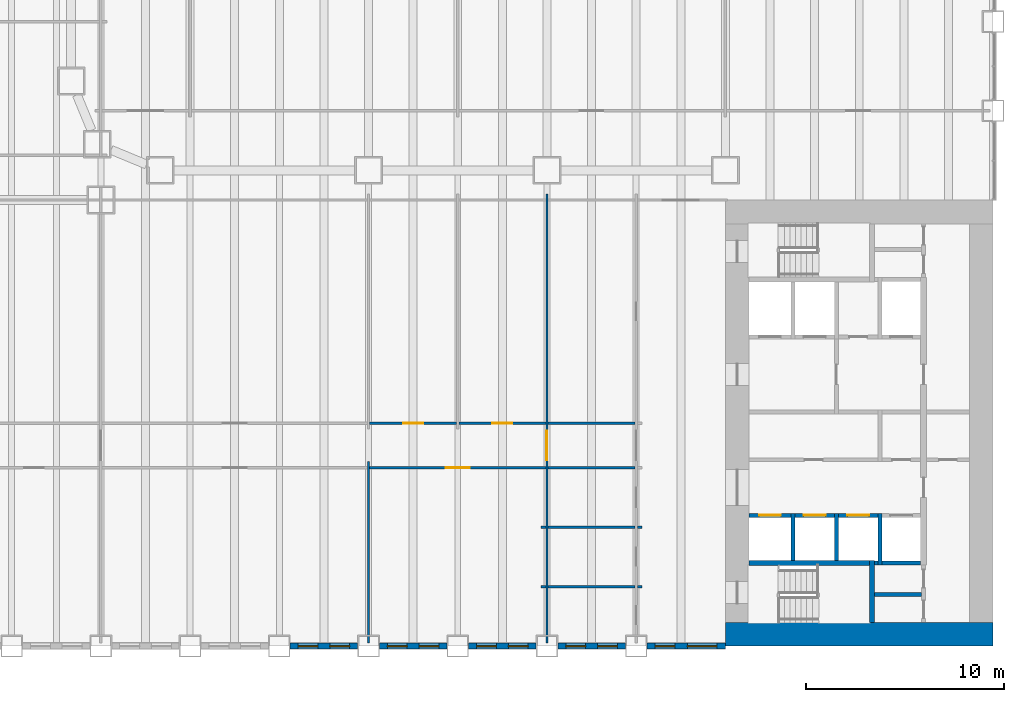
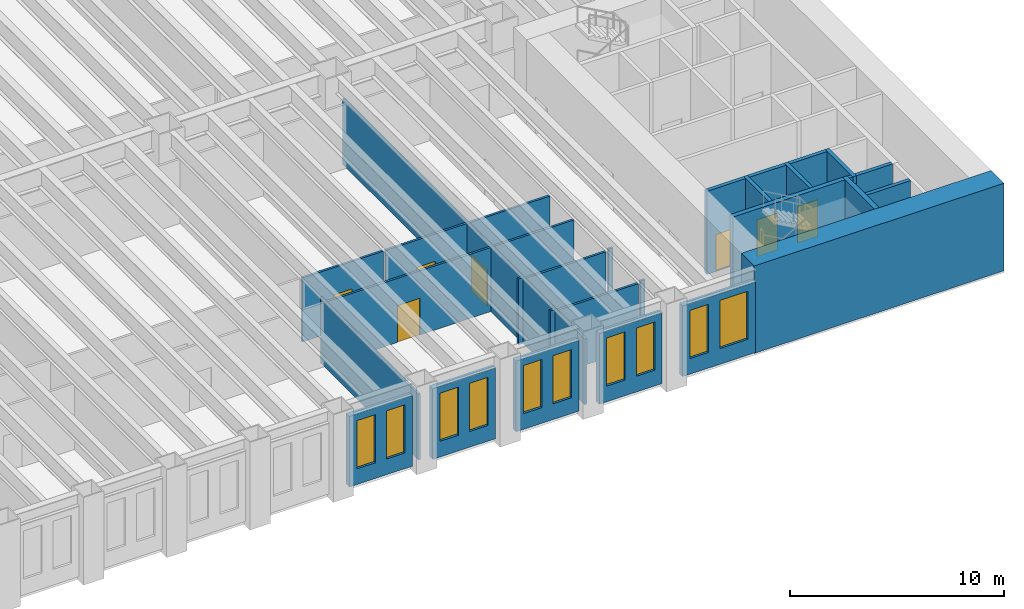
# One storey, part 11 of 19: 30 walls, 10 windows, 7 doors, 17 openings.
"""IFC4 building model written with IfcOpenShell, lengths in metres."""

from ifc_helpers import new_model, si_unit, direction, frame, frame_2d, origin, place, context, subcontext, project, spatial, rectangle, extrude, material, layer, layer_set, type_object, element, fill, save


model = new_model("IFC4")

# Units and contexts
model_context = context("Model", 3, precision=1e-05, world=origin(), true_north=direction((0.0, 1.0)))
body_context = subcontext(model_context, "Body", "Model", "MODEL_VIEW")
ifc_project = project(units=[si_unit("LENGTHUNIT", "METRE"), si_unit("AREAUNIT", "SQUARE_METRE"), si_unit("VOLUMEUNIT", "CUBIC_METRE"), si_unit("PLANEANGLEUNIT", "RADIAN"), si_unit("MASSUNIT", "GRAM", prefix="KILO")], contexts=[model_context])

# Site, building, storey
site_placement = place(None, origin())
site = spatial("IfcSite", under=ifc_project, at=site_placement, CompositionType="ELEMENT")
building_placement = place(site_placement, origin())
building = spatial("IfcBuilding", under=site, at=building_placement, Name="Sennacour Bend Tower", CompositionType="ELEMENT")
storey_placement = place(building_placement, frame((0.0, 0.0, 19.0)))
storey = spatial("IfcBuildingStorey", under=building, at=storey_placement, Name="L03", CompositionType="ELEMENT", Elevation=19.0)

# Walls
ifc_material_1 = material(Name="Concrete C80/95", Category="concrete")
ifc_layer_1 = layer(ifc_material_1, 1.199951171875, Name="Concrete C80/95", Category="concrete")
ifc_layer_set_1 = layer_set([ifc_layer_1], Name="Concrete C80/95")
wall_type_1 = type_object("IfcWallType", Name="Core wall 1200 C80/95", PredefinedType="SHEAR", material=ifc_layer_set_1)
wall_1_placement = place(storey_placement, frame((67.5, 0.60009765625, -0.14990234375), z_axis=(0.0, 0.0, 1.0), x_axis=(-1.0, 0.0, 0.0)))
element("IfcWall", 1, at=wall_1_placement, inside=storey, type_object=wall_type_1, Name="Core A wall L03 S", PredefinedType="SHEAR", context=body_context, shape_type="SweptSolid", body=[
    extrude(rectangle(XDim=13.5, YDim=1.199951171875, at=frame_2d((6.75, 0.0))), origin(), (0.0, 0.0, 1.0), 5.0),
])
ifc_material_2 = material(Name="Plasterboard partition on steel studs", Category="steel")
ifc_layer_2 = layer(ifc_material_2, 0.1201171875, Name="Plasterboard partition on steel studs", Category="steel")
ifc_layer_set_2 = layer_set([ifc_layer_2], Name="Plasterboard partition on steel studs")
wall_type_2 = type_object("IfcWallType", Name="Partition 120", PredefinedType="PARTITIONING", material=ifc_layer_set_2)
wall_2_placement = place(storey_placement, frame((36.0, 0.14990234375, 0.0), z_axis=(0.0, 0.0, 1.0), x_axis=(0.0, 1.0, 0.0)))
element("IfcWall", 2, at=wall_2_placement, inside=storey, type_object=wall_type_2, Name="P-L03-W024a", PredefinedType="PARTITIONING", context=body_context, shape_type="SweptSolid", body=[
    extrude(rectangle(XDim=9.150146484375, YDim=0.1201171875, at=frame_2d((4.5751953125, 0.0))), origin(), (0.0, 0.0, 1.0), 3.7587890625),
])
wall_3_placement = place(storey_placement, frame((44.699951171875, 3.0, 0.0), z_axis=(0.0, 0.0, 1.0), x_axis=(1.0, 0.0, 0.0)))
element("IfcWall", 3, at=wall_3_placement, inside=storey, type_object=wall_type_2, Name="P-L03-W048aa", PredefinedType="PARTITIONING", context=body_context, shape_type="SweptSolid", body=[
    extrude(rectangle(XDim=0.239990234375, YDim=0.1201171875, at=frame_2d((0.1201171875, 0.0))), origin(), (0.0, 0.0, 1.0), 3.7587890625),
])
wall_4_placement = place(storey_placement, frame((45.06005859375, 3.0, 0.0), z_axis=(0.0, 0.0, 1.0), x_axis=(1.0, 0.0, 0.0)))
element("IfcWall", 4, at=wall_4_placement, inside=storey, type_object=wall_type_2, Name="P-L03-W048ab", PredefinedType="PARTITIONING", context=body_context, shape_type="SweptSolid", body=[
    extrude(rectangle(XDim=4.3798828125, YDim=0.1201171875, at=frame_2d((2.18994140625, 0.0))), origin(), (0.0, 0.0, 1.0), 3.66015625),
])
for number, where, z_axis, x_axis, name in (
    (5, (49.56005859375, 3.0, 0.0), (0.0, 0.0, 1.0), (1.0, 0.0, 0.0), "P-L03-W048ac"),
    (6, (44.699951171875, 6.0, 0.0), (0.0, 0.0, 1.0), (1.0, 0.0, 0.0), "P-L03-W053aa"),
):
    element("IfcWall", number, at=place(storey_placement, frame(where, z_axis=z_axis, x_axis=x_axis)), inside=storey, type_object=wall_type_2, Name=name, PredefinedType="PARTITIONING", context=body_context, shape_type="SweptSolid", body=[
        extrude(rectangle(XDim=0.239990234375, YDim=0.1201171875, at=frame_2d((0.1201171875, 0.0))), origin(), (0.0, 0.0, 1.0), 3.7587890625),
    ])
wall_5_placement = place(storey_placement, frame((45.06005859375, 6.0, 0.0), z_axis=(0.0, 0.0, 1.0), x_axis=(1.0, 0.0, 0.0)))
element("IfcWall", 7, at=wall_5_placement, inside=storey, type_object=wall_type_2, Name="P-L03-W053ab", PredefinedType="PARTITIONING", context=body_context, shape_type="SweptSolid", body=[
    extrude(rectangle(XDim=4.3798828125, YDim=0.1201171875, at=frame_2d((2.18994140625, 0.0))), origin(), (0.0, 0.0, 1.0), 3.66015625),
])
wall_6_placement = place(storey_placement, frame((49.56005859375, 6.0, 0.0), z_axis=(0.0, 0.0, 1.0), x_axis=(1.0, 0.0, 0.0)))
element("IfcWall", 8, at=wall_6_placement, inside=storey, type_object=wall_type_2, Name="P-L03-W053ac", PredefinedType="PARTITIONING", context=body_context, shape_type="SweptSolid", body=[
    extrude(rectangle(XDim=0.239990234375, YDim=0.1201171875, at=frame_2d((0.1201171875, 0.0))), origin(), (0.0, 0.0, 1.0), 3.7587890625),
])

# Wall, opening, door
wall_7_placement = place(storey_placement, frame((36.06005859375, 9.0, 0.0), z_axis=(0.0, 0.0, 1.0), x_axis=(1.0, 0.0, 0.0)))
wall_7 = element("IfcWall", 9, at=wall_7_placement, inside=storey, type_object=wall_type_2, Name="P-L03-W055ae", PredefinedType="PARTITIONING", context=body_context, shape_type="SweptSolid", body=[
    extrude(rectangle(XDim=8.8798828125, YDim=0.1201171875, at=frame_2d((4.43994140625, 0.0))), origin(), (0.0, 0.0, 1.0), 3.66015625),
])
opening_1_placement = place(wall_7_placement, frame((3.83984375, 0.0, 0.0)))
opening_1 = element("IfcOpeningElement", 10, at=opening_1_placement, cuts=wall_7, Name="Opening OD", PredefinedType="OPENING", context=body_context, shape_type="SweptSolid", body=[
    extrude(rectangle(XDim=1.199951171875, YDim=2.10009765625, at=frame_2d((0.60009765625, 1.050048828125))), frame((0.0, 0.070068359375, 0.0), z_axis=(0.0, -1.0, 0.0), x_axis=(1.0, 0.0, 0.0)), (0.0, 0.0, 1.0), 0.14013671875),
])
ifc_material_3 = material(Name="Timber", Category="wood")
door_type_1 = type_object("IfcDoorType", Name="DR-OFFICE-1200", OperationType="NOTDEFINED", PredefinedType="DOOR", material=ifc_material_3)
door_1_placement = place(opening_1_placement, origin())
door_1 = element("IfcDoor", 11, at=door_1_placement, inside=storey, type_object=door_type_1, Name="Door", OperationType="SINGLE_SWING_LEFT", OverallHeight=2.10009765625, OverallWidth=1.199951171875, PredefinedType="DOOR", context=body_context, shape_type="SweptSolid", body=[
    extrude(rectangle(XDim=1.199951171875, YDim=2.10009765625, at=frame_2d((0.60009765625, 1.050048828125))), frame((0.0, 0.02490234375, 0.0), z_axis=(0.0, -1.0, 0.0), x_axis=(1.0, 0.0, 0.0)), (0.0, 0.0, 1.0), 0.050048828125),
])
fill(opening_1, door_1)

# Wall
wall_8_placement = place(storey_placement, frame((45.06005859375, 9.0, 0.0), z_axis=(0.0, 0.0, 1.0), x_axis=(1.0, 0.0, 0.0)))
element("IfcWall", 12, at=wall_8_placement, inside=storey, type_object=wall_type_2, Name="P-L03-W055af", PredefinedType="PARTITIONING", context=body_context, shape_type="SweptSolid", body=[
    extrude(rectangle(XDim=4.3798828125, YDim=0.1201171875, at=frame_2d((2.18994140625, 0.0))), origin(), (0.0, 0.0, 1.0), 3.66015625),
])

# Wall, opening, door
wall_9_placement = place(storey_placement, frame((36.06005859375, 11.25, 0.0), z_axis=(0.0, 0.0, 1.0), x_axis=(1.0, 0.0, 0.0)))
wall_9 = element("IfcWall", 13, at=wall_9_placement, inside=storey, type_object=wall_type_2, Name="P-L03-W057ae", PredefinedType="PARTITIONING", context=body_context, shape_type="SweptSolid", body=[
    extrude(rectangle(XDim=4.3798828125, YDim=0.1201171875, at=frame_2d((2.18994140625, 0.0))), origin(), (0.0, 0.0, 1.0), 3.66015625),
])
opening_2_placement = place(wall_9_placement, frame((1.68994140625, 0.0, 0.0)))
opening_2 = element("IfcOpeningElement", 14, at=opening_2_placement, cuts=wall_9, Name="Opening OD2", PredefinedType="OPENING", context=body_context, shape_type="SweptSolid", body=[
    extrude(rectangle(XDim=1.0, YDim=2.10009765625, at=frame_2d((0.5, 1.050048828125))), frame((0.0, 0.070068359375, 0.0), z_axis=(0.0, -1.0, 0.0), x_axis=(1.0, 0.0, 0.0)), (0.0, 0.0, 1.0), 0.14013671875),
])
door_type_2 = type_object("IfcDoorType", Name="DR-OFFICE-1000", OperationType="NOTDEFINED", PredefinedType="DOOR", material=ifc_material_3)
door_2_placement = place(opening_2_placement, origin())
door_2 = element("IfcDoor", 15, at=door_2_placement, inside=storey, type_object=door_type_2, Name="Door", OperationType="SINGLE_SWING_LEFT", OverallHeight=2.10009765625, OverallWidth=1.0, PredefinedType="DOOR", context=body_context, shape_type="SweptSolid", body=[
    extrude(rectangle(XDim=1.0, YDim=2.10009765625, at=frame_2d((0.5, 1.050048828125))), frame((0.0, 0.02490234375, 0.0), z_axis=(0.0, -1.0, 0.0), x_axis=(1.0, 0.0, 0.0)), (0.0, 0.0, 1.0), 0.050048828125),
])
fill(opening_2, door_2)

wall_10_placement = place(storey_placement, frame((40.56005859375, 11.25, 0.0), z_axis=(0.0, 0.0, 1.0), x_axis=(1.0, 0.0, 0.0)))
wall_10 = element("IfcWall", 16, at=wall_10_placement, inside=storey, type_object=wall_type_2, Name="P-L03-W057af", PredefinedType="PARTITIONING", context=body_context, shape_type="SweptSolid", body=[
    extrude(rectangle(XDim=4.3798828125, YDim=0.1201171875, at=frame_2d((2.18994140625, 0.0))), origin(), (0.0, 0.0, 1.0), 3.66015625),
])
opening_3_placement = place(wall_10_placement, frame((1.68994140625, 0.0, 0.0)))
opening_3 = element("IfcOpeningElement", 17, at=opening_3_placement, cuts=wall_10, Name="Opening OD2", PredefinedType="OPENING", context=body_context, shape_type="SweptSolid", body=[
    extrude(rectangle(XDim=1.0, YDim=2.10009765625, at=frame_2d((0.5, 1.050048828125))), frame((0.0, 0.070068359375, 0.0), z_axis=(0.0, -1.0, 0.0), x_axis=(1.0, 0.0, 0.0)), (0.0, 0.0, 1.0), 0.14013671875),
])
door_3_placement = place(opening_3_placement, origin())
door_3 = element("IfcDoor", 18, at=door_3_placement, inside=storey, type_object=door_type_2, Name="Door", OperationType="SINGLE_SWING_LEFT", OverallHeight=2.10009765625, OverallWidth=1.0, PredefinedType="DOOR", context=body_context, shape_type="SweptSolid", body=[
    extrude(rectangle(XDim=1.0, YDim=2.10009765625, at=frame_2d((0.5, 1.050048828125))), frame((0.0, 0.02490234375, 0.0), z_axis=(0.0, -1.0, 0.0), x_axis=(1.0, 0.0, 0.0)), (0.0, 0.0, 1.0), 0.050048828125),
])
fill(opening_3, door_3)

# Wall
wall_11_placement = place(storey_placement, frame((45.06005859375, 11.25, 0.0), z_axis=(0.0, 0.0, 1.0), x_axis=(1.0, 0.0, 0.0)))
element("IfcWall", 19, at=wall_11_placement, inside=storey, type_object=wall_type_2, Name="P-L03-W057ag", PredefinedType="PARTITIONING", context=body_context, shape_type="SweptSolid", body=[
    extrude(rectangle(XDim=4.3798828125, YDim=0.1201171875, at=frame_2d((2.18994140625, 0.0))), origin(), (0.0, 0.0, 1.0), 3.66015625),
])

# Wall, opening, door
ifc_layer_3 = layer(ifc_material_2, 0.1201171875, Name="Plasterboard partition on steel studs", Category="steel")
ifc_layer_set_3 = layer_set([ifc_layer_3], Name="Plasterboard partition on steel studs")
wall_type_3 = type_object("IfcWallType", Name="Partition 120 EI 30", PredefinedType="PARTITIONING", material=ifc_layer_set_3)
wall_12_placement = place(storey_placement, frame((45.0, 0.14990234375, 0.0), z_axis=(0.0, 0.0, 1.0), x_axis=(0.0, 1.0, 0.0)))
wall_12 = element("IfcWall", 20, at=wall_12_placement, inside=storey, type_object=wall_type_3, Name="P-L03-W028a", PredefinedType="PARTITIONING", context=body_context, shape_type="SweptSolid", body=[
    extrude(rectangle(XDim=22.650146484375, YDim=0.1201171875, at=frame_2d((11.3251953125, 0.0))), origin(), (0.0, 0.0, 1.0), 3.7587890625),
])
opening_4_placement = place(wall_12_placement, frame((9.22509765625, 0.0, 0.0)))
opening_4 = element("IfcOpeningElement", 21, at=opening_4_placement, cuts=wall_12, Name="Opening KD", PredefinedType="OPENING", context=body_context, shape_type="SweptSolid", body=[
    extrude(rectangle(XDim=1.5, YDim=2.10009765625, at=frame_2d((0.75, 1.050048828125))), frame((0.0, 0.070068359375, 0.0), z_axis=(0.0, -1.0, 0.0), x_axis=(1.0, 0.0, 0.0)), (0.0, 0.0, 1.0), 0.14013671875),
])
ifc_material_4 = material(Name="Painted steel", Category="steel")
door_type_3 = type_object("IfcDoorType", Name="DR-CORRIDOR-1500", OperationType="NOTDEFINED", PredefinedType="DOOR", material=ifc_material_4)
door_4_placement = place(opening_4_placement, origin())
door_4 = element("IfcDoor", 22, at=door_4_placement, inside=storey, type_object=door_type_3, Name="Door", OperationType="SINGLE_SWING_LEFT", OverallHeight=2.10009765625, OverallWidth=1.5, PredefinedType="DOOR", context=body_context, shape_type="SweptSolid", body=[
    extrude(rectangle(XDim=1.5, YDim=2.10009765625, at=frame_2d((0.75, 1.050048828125))), frame((0.0, 0.02490234375, 0.0), z_axis=(0.0, -1.0, 0.0), x_axis=(1.0, 0.0, 0.0)), (0.0, 0.0, 1.0), 0.050048828125),
])
fill(opening_4, door_4)

# Wall
ifc_material_5 = material(Name="Fire-rated plasterboard partition on steel studs", Category="steel")
ifc_layer_4 = layer(ifc_material_5, 0.199951171875, Name="Fire-rated plasterboard partition on steel studs", Category="steel")
ifc_layer_set_4 = layer_set([ifc_layer_4], Name="Fire-rated plasterboard partition on steel studs")
wall_type_4 = type_object("IfcWallType", Name="Rated partition 200", PredefinedType="PARTITIONING", material=ifc_layer_set_4)
wall_13_placement = place(storey_placement, frame((61.52490234375, 2.60009765625, 0.0), z_axis=(0.0, 0.0, 1.0), x_axis=(1.0, 0.0, 0.0)))
element("IfcWall", 23, at=wall_13_placement, inside=storey, type_object=wall_type_4, Name="P-L03-W047", PredefinedType="PARTITIONING", context=body_context, shape_type="SweptSolid", body=[
    extrude(rectangle(XDim=2.375, YDim=0.199951171875, at=frame_2d((1.1875, 0.0))), origin(), (0.0, 0.0, 1.0), 4.75),
])

# Wall, openings, windows
ifc_material_6 = material(Name="Warm limestone cladding", Category="masonry")
ifc_layer_5 = layer(ifc_material_6, 0.050048828125, Name="Warm limestone cladding", Category="masonry")
ifc_material_7 = material(Name="Precast concrete C40/50", Category="concrete")
ifc_layer_6 = layer(ifc_material_7, 0.25, Name="Precast concrete C40/50", Category="concrete")
ifc_layer_set_5 = layer_set([ifc_layer_5, ifc_layer_6], Name="Precast concrete C40/50 with limestone cladding")
wall_type_5 = type_object("IfcWallType", Name="STONE-CLAD PRECAST SPANDREL 300", PredefinedType="STANDARD", material=ifc_layer_set_5)
wall_14_placement = place(storey_placement, frame((32.050048828125, 0.0, 0.0), z_axis=(0.0, 0.0, 1.0), x_axis=(1.0, 0.0, 0.0)))
wall_14 = element("IfcWall", 24, at=wall_14_placement, inside=storey, type_object=wall_type_5, Name="Stone spandrel and pier wall L03 03.07", PredefinedType="STANDARD", context=body_context, shape_type="SweptSolid", body=[
    extrude(rectangle(XDim=3.39990234375, YDim=0.300048828125, at=frame_2d((1.699951171875, 0.0))), origin(), (0.0, 0.0, 1.0), 4.035888671875),
])
opening_5_placement = place(wall_14_placement, frame((0.39990234375, 0.0, 0.89990234375)))
opening_5 = element("IfcOpeningElement", 25, at=opening_5_placement, cuts=wall_14, Name="Opening W3", PredefinedType="OPENING", context=body_context, shape_type="SweptSolid", body=[
    extrude(rectangle(XDim=1.0, YDim=2.75, at=frame_2d((0.5, 1.375))), frame((0.0, 0.16015625, 0.0), z_axis=(0.0, -1.0, 0.0), x_axis=(1.0, 0.0, 0.0)), (0.0, 0.0, 1.0), 0.320068359375),
])
opening_6_placement = place(wall_14_placement, frame((2.0, 0.0, 0.89990234375)))
opening_6 = element("IfcOpeningElement", 26, at=opening_6_placement, cuts=wall_14, Name="Opening W3", PredefinedType="OPENING", context=body_context, shape_type="SweptSolid", body=[
    extrude(rectangle(XDim=1.0, YDim=2.75, at=frame_2d((0.5, 1.375))), frame((0.0, 0.16015625, 0.0), z_axis=(0.0, -1.0, 0.0), x_axis=(1.0, 0.0, 0.0)), (0.0, 0.0, 1.0), 0.320068359375),
])
ifc_material_8 = material(Name="Clear low-emissivity glass", Category="glass")
window_type_1 = type_object("IfcWindowType", Name="WIN-RIBBON-1000x2750", PartitioningType="SINGLE_PANEL", PredefinedType="WINDOW", material=ifc_material_8)
window_1_placement = place(opening_5_placement, origin())
window_1 = element("IfcWindow", 27, at=window_1_placement, inside=storey, type_object=window_type_1, Name="Ribbon window L03 03.07.0", OverallHeight=2.75, OverallWidth=1.0, PartitioningType="SINGLE_PANEL", PredefinedType="WINDOW", context=body_context, shape_type="SweptSolid", body=[
    extrude(rectangle(XDim=1.0, YDim=2.75, at=frame_2d((0.5, 1.375))), frame((0.0, 0.030029296875, 0.0), z_axis=(0.0, -1.0, 0.0), x_axis=(1.0, 0.0, 0.0)), (0.0, 0.0, 1.0), 0.06005859375),
])
fill(opening_5, window_1)
window_2_placement = place(opening_6_placement, origin())
window_2 = element("IfcWindow", 28, at=window_2_placement, inside=storey, type_object=window_type_1, Name="Ribbon window L03 03.07.1", OverallHeight=2.75, OverallWidth=1.0, PartitioningType="SINGLE_PANEL", PredefinedType="WINDOW", context=body_context, shape_type="SweptSolid", body=[
    extrude(rectangle(XDim=1.0, YDim=2.75, at=frame_2d((0.5, 1.375))), frame((0.0, 0.030029296875, 0.0), z_axis=(0.0, -1.0, 0.0), x_axis=(1.0, 0.0, 0.0)), (0.0, 0.0, 1.0), 0.06005859375),
])
fill(opening_6, window_2)

wall_15_placement = place(storey_placement, frame((36.550048828125, 0.0, 0.0), z_axis=(0.0, 0.0, 1.0), x_axis=(1.0, 0.0, 0.0)))
wall_15 = element("IfcWall", 29, at=wall_15_placement, inside=storey, type_object=wall_type_5, Name="Stone spandrel and pier wall L03 03.08", PredefinedType="STANDARD", context=body_context, shape_type="SweptSolid", body=[
    extrude(rectangle(XDim=3.39990234375, YDim=0.300048828125, at=frame_2d((1.699951171875, 0.0))), origin(), (0.0, 0.0, 1.0), 4.035888671875),
])
opening_7_placement = place(wall_15_placement, frame((0.39990234375, 0.0, 0.89990234375)))
opening_7 = element("IfcOpeningElement", 30, at=opening_7_placement, cuts=wall_15, Name="Opening W3", PredefinedType="OPENING", context=body_context, shape_type="SweptSolid", body=[
    extrude(rectangle(XDim=1.0, YDim=2.75, at=frame_2d((0.5, 1.375))), frame((0.0, 0.16015625, 0.0), z_axis=(0.0, -1.0, 0.0), x_axis=(1.0, 0.0, 0.0)), (0.0, 0.0, 1.0), 0.320068359375),
])
opening_8_placement = place(wall_15_placement, frame((2.0, 0.0, 0.89990234375)))
opening_8 = element("IfcOpeningElement", 31, at=opening_8_placement, cuts=wall_15, Name="Opening W3", PredefinedType="OPENING", context=body_context, shape_type="SweptSolid", body=[
    extrude(rectangle(XDim=1.0, YDim=2.75, at=frame_2d((0.5, 1.375))), frame((0.0, 0.16015625, 0.0), z_axis=(0.0, -1.0, 0.0), x_axis=(1.0, 0.0, 0.0)), (0.0, 0.0, 1.0), 0.320068359375),
])
window_3_placement = place(opening_7_placement, origin())
window_3 = element("IfcWindow", 32, at=window_3_placement, inside=storey, type_object=window_type_1, Name="Ribbon window L03 03.08.0", OverallHeight=2.75, OverallWidth=1.0, PartitioningType="SINGLE_PANEL", PredefinedType="WINDOW", context=body_context, shape_type="SweptSolid", body=[
    extrude(rectangle(XDim=1.0, YDim=2.75, at=frame_2d((0.5, 1.375))), frame((0.0, 0.030029296875, 0.0), z_axis=(0.0, -1.0, 0.0), x_axis=(1.0, 0.0, 0.0)), (0.0, 0.0, 1.0), 0.06005859375),
])
fill(opening_7, window_3)
window_4_placement = place(opening_8_placement, origin())
window_4 = element("IfcWindow", 33, at=window_4_placement, inside=storey, type_object=window_type_1, Name="Ribbon window L03 03.08.1", OverallHeight=2.75, OverallWidth=1.0, PartitioningType="SINGLE_PANEL", PredefinedType="WINDOW", context=body_context, shape_type="SweptSolid", body=[
    extrude(rectangle(XDim=1.0, YDim=2.75, at=frame_2d((0.5, 1.375))), frame((0.0, 0.030029296875, 0.0), z_axis=(0.0, -1.0, 0.0), x_axis=(1.0, 0.0, 0.0)), (0.0, 0.0, 1.0), 0.06005859375),
])
fill(opening_8, window_4)

wall_16_placement = place(storey_placement, frame((41.050048828125, 0.0, 0.0), z_axis=(0.0, 0.0, 1.0), x_axis=(1.0, 0.0, 0.0)))
wall_16 = element("IfcWall", 34, at=wall_16_placement, inside=storey, type_object=wall_type_5, Name="Stone spandrel and pier wall L03 03.09", PredefinedType="STANDARD", context=body_context, shape_type="SweptSolid", body=[
    extrude(rectangle(XDim=3.39990234375, YDim=0.300048828125, at=frame_2d((1.699951171875, 0.0))), origin(), (0.0, 0.0, 1.0), 4.035888671875),
])
opening_9_placement = place(wall_16_placement, frame((0.39990234375, 0.0, 0.89990234375)))
opening_9 = element("IfcOpeningElement", 35, at=opening_9_placement, cuts=wall_16, Name="Opening W3", PredefinedType="OPENING", context=body_context, shape_type="SweptSolid", body=[
    extrude(rectangle(XDim=1.0, YDim=2.75, at=frame_2d((0.5, 1.375))), frame((0.0, 0.16015625, 0.0), z_axis=(0.0, -1.0, 0.0), x_axis=(1.0, 0.0, 0.0)), (0.0, 0.0, 1.0), 0.320068359375),
])
opening_10_placement = place(wall_16_placement, frame((2.0, 0.0, 0.89990234375)))
opening_10 = element("IfcOpeningElement", 36, at=opening_10_placement, cuts=wall_16, Name="Opening W3", PredefinedType="OPENING", context=body_context, shape_type="SweptSolid", body=[
    extrude(rectangle(XDim=1.0, YDim=2.75, at=frame_2d((0.5, 1.375))), frame((0.0, 0.16015625, 0.0), z_axis=(0.0, -1.0, 0.0), x_axis=(1.0, 0.0, 0.0)), (0.0, 0.0, 1.0), 0.320068359375),
])
window_5_placement = place(opening_9_placement, origin())
window_5 = element("IfcWindow", 37, at=window_5_placement, inside=storey, type_object=window_type_1, Name="Ribbon window L03 03.09.0", OverallHeight=2.75, OverallWidth=1.0, PartitioningType="SINGLE_PANEL", PredefinedType="WINDOW", context=body_context, shape_type="SweptSolid", body=[
    extrude(rectangle(XDim=1.0, YDim=2.75, at=frame_2d((0.5, 1.375))), frame((0.0, 0.030029296875, 0.0), z_axis=(0.0, -1.0, 0.0), x_axis=(1.0, 0.0, 0.0)), (0.0, 0.0, 1.0), 0.06005859375),
])
fill(opening_9, window_5)
window_6_placement = place(opening_10_placement, origin())
window_6 = element("IfcWindow", 38, at=window_6_placement, inside=storey, type_object=window_type_1, Name="Ribbon window L03 03.09.1", OverallHeight=2.75, OverallWidth=1.0, PartitioningType="SINGLE_PANEL", PredefinedType="WINDOW", context=body_context, shape_type="SweptSolid", body=[
    extrude(rectangle(XDim=1.0, YDim=2.75, at=frame_2d((0.5, 1.375))), frame((0.0, 0.030029296875, 0.0), z_axis=(0.0, -1.0, 0.0), x_axis=(1.0, 0.0, 0.0)), (0.0, 0.0, 1.0), 0.06005859375),
])
fill(opening_10, window_6)

wall_17_placement = place(storey_placement, frame((45.550048828125, 0.0, 0.0), z_axis=(0.0, 0.0, 1.0), x_axis=(1.0, 0.0, 0.0)))
wall_17 = element("IfcWall", 39, at=wall_17_placement, inside=storey, type_object=wall_type_5, Name="Stone spandrel and pier wall L03 03.10", PredefinedType="STANDARD", context=body_context, shape_type="SweptSolid", body=[
    extrude(rectangle(XDim=3.39990234375, YDim=0.300048828125, at=frame_2d((1.699951171875, 0.0))), origin(), (0.0, 0.0, 1.0), 4.035888671875),
])
opening_11_placement = place(wall_17_placement, frame((0.39990234375, 0.0, 0.89990234375)))
opening_11 = element("IfcOpeningElement", 40, at=opening_11_placement, cuts=wall_17, Name="Opening W3", PredefinedType="OPENING", context=body_context, shape_type="SweptSolid", body=[
    extrude(rectangle(XDim=1.0, YDim=2.75, at=frame_2d((0.5, 1.375))), frame((0.0, 0.16015625, 0.0), z_axis=(0.0, -1.0, 0.0), x_axis=(1.0, 0.0, 0.0)), (0.0, 0.0, 1.0), 0.320068359375),
])
opening_12_placement = place(wall_17_placement, frame((2.0, 0.0, 0.89990234375)))
opening_12 = element("IfcOpeningElement", 41, at=opening_12_placement, cuts=wall_17, Name="Opening W3", PredefinedType="OPENING", context=body_context, shape_type="SweptSolid", body=[
    extrude(rectangle(XDim=1.0, YDim=2.75, at=frame_2d((0.5, 1.375))), frame((0.0, 0.16015625, 0.0), z_axis=(0.0, -1.0, 0.0), x_axis=(1.0, 0.0, 0.0)), (0.0, 0.0, 1.0), 0.320068359375),
])
window_7_placement = place(opening_11_placement, origin())
window_7 = element("IfcWindow", 42, at=window_7_placement, inside=storey, type_object=window_type_1, Name="Ribbon window L03 03.10.0", OverallHeight=2.75, OverallWidth=1.0, PartitioningType="SINGLE_PANEL", PredefinedType="WINDOW", context=body_context, shape_type="SweptSolid", body=[
    extrude(rectangle(XDim=1.0, YDim=2.75, at=frame_2d((0.5, 1.375))), frame((0.0, 0.030029296875, 0.0), z_axis=(0.0, -1.0, 0.0), x_axis=(1.0, 0.0, 0.0)), (0.0, 0.0, 1.0), 0.06005859375),
])
fill(opening_11, window_7)
window_8_placement = place(opening_12_placement, origin())
window_8 = element("IfcWindow", 43, at=window_8_placement, inside=storey, type_object=window_type_1, Name="Ribbon window L03 03.10.1", OverallHeight=2.75, OverallWidth=1.0, PartitioningType="SINGLE_PANEL", PredefinedType="WINDOW", context=body_context, shape_type="SweptSolid", body=[
    extrude(rectangle(XDim=1.0, YDim=2.75, at=frame_2d((0.5, 1.375))), frame((0.0, 0.030029296875, 0.0), z_axis=(0.0, -1.0, 0.0), x_axis=(1.0, 0.0, 0.0)), (0.0, 0.0, 1.0), 0.06005859375),
])
fill(opening_12, window_8)

wall_18_placement = place(storey_placement, frame((50.050048828125, 0.0, 0.0), z_axis=(0.0, 0.0, 1.0), x_axis=(1.0, 0.0, 0.0)))
wall_18 = element("IfcWall", 44, at=wall_18_placement, inside=storey, type_object=wall_type_5, Name="Stone spandrel and pier wall L03 03.11", PredefinedType="STANDARD", context=body_context, shape_type="SweptSolid", body=[
    extrude(rectangle(XDim=3.948974609375, YDim=0.300048828125, at=frame_2d((1.974609375, 0.0))), origin(), (0.0, 0.0, 1.0), 4.035888671875),
])
opening_13_placement = place(wall_18_placement, frame((0.39990234375, 0.0, 0.89990234375)))
opening_13 = element("IfcOpeningElement", 45, at=opening_13_placement, cuts=wall_18, Name="Opening W3", PredefinedType="OPENING", context=body_context, shape_type="SweptSolid", body=[
    extrude(rectangle(XDim=1.0, YDim=2.75, at=frame_2d((0.5, 1.375))), frame((0.0, 0.16015625, 0.0), z_axis=(0.0, -1.0, 0.0), x_axis=(1.0, 0.0, 0.0)), (0.0, 0.0, 1.0), 0.320068359375),
])
opening_14_placement = place(wall_18_placement, frame((2.0244140625, 0.0, 0.89990234375)))
opening_14 = element("IfcOpeningElement", 46, at=opening_14_placement, cuts=wall_18, Name="Opening W4", PredefinedType="OPENING", context=body_context, shape_type="SweptSolid", body=[
    extrude(rectangle(XDim=1.5, YDim=2.75, at=frame_2d((0.75, 1.375))), frame((0.0, 0.16015625, 0.0), z_axis=(0.0, -1.0, 0.0), x_axis=(1.0, 0.0, 0.0)), (0.0, 0.0, 1.0), 0.320068359375),
])
window_9_placement = place(opening_13_placement, origin())
window_9 = element("IfcWindow", 47, at=window_9_placement, inside=storey, type_object=window_type_1, Name="Ribbon window L03 03.11.0", OverallHeight=2.75, OverallWidth=1.0, PartitioningType="SINGLE_PANEL", PredefinedType="WINDOW", context=body_context, shape_type="SweptSolid", body=[
    extrude(rectangle(XDim=1.0, YDim=2.75, at=frame_2d((0.5, 1.375))), frame((0.0, 0.030029296875, 0.0), z_axis=(0.0, -1.0, 0.0), x_axis=(1.0, 0.0, 0.0)), (0.0, 0.0, 1.0), 0.06005859375),
])
fill(opening_13, window_9)
window_type_2 = type_object("IfcWindowType", Name="WIN-RIBBON-1500x2750", PartitioningType="SINGLE_PANEL", PredefinedType="WINDOW", material=ifc_material_8)
window_10_placement = place(opening_14_placement, origin())
window_10 = element("IfcWindow", 48, at=window_10_placement, inside=storey, type_object=window_type_2, Name="Ribbon window L03 03.11.1", OverallHeight=2.75, OverallWidth=1.5, PartitioningType="SINGLE_PANEL", PredefinedType="WINDOW", context=body_context, shape_type="SweptSolid", body=[
    extrude(rectangle(XDim=1.5, YDim=2.75, at=frame_2d((0.75, 1.375))), frame((0.0, 0.030029296875, 0.0), z_axis=(0.0, -1.0, 0.0), x_axis=(1.0, 0.0, 0.0)), (0.0, 0.0, 1.0), 0.06005859375),
])
fill(opening_14, window_10)

# Walls
ifc_material_9 = material(Name="Concrete C50/60", Category="concrete")
ifc_layer_7 = layer(ifc_material_9, 0.199951171875, Name="Concrete C50/60", Category="concrete")
ifc_layer_set_6 = layer_set([ifc_layer_7], Name="Concrete C50/60")
wall_type_6 = type_object("IfcWallType", Name="Shaft wall 200", PredefinedType="SOLIDWALL", material=ifc_layer_set_6)
for number, where, z_axis, x_axis, name in (
    (49, (57.39990234375, 4.324951171875, 0.0), (0.0, 0.0, 1.0), (0.0, 1.0, 0.0), "P-L03-W031"),
    (50, (59.60009765625, 4.324951171875, 0.0), (0.0, 0.0, 1.0), (0.0, 1.0, 0.0), "P-L03-W033"),
):
    element("IfcWall", number, at=place(storey_placement, frame(where, z_axis=z_axis, x_axis=x_axis)), inside=storey, type_object=wall_type_6, Name=name, PredefinedType="SOLIDWALL", context=body_context, shape_type="SweptSolid", body=[
        extrude(rectangle(XDim=2.375, YDim=0.199951171875, at=frame_2d((1.1875, 0.0))), origin(), (0.0, 0.0, 1.0), 4.75),
    ])
wall_19_placement = place(storey_placement, frame((61.800048828125, 4.10009765625, 0.0), z_axis=(0.0, 0.0, 1.0), x_axis=(0.0, 1.0, 0.0)))
element("IfcWall", 51, at=wall_19_placement, inside=storey, type_object=wall_type_6, Name="P-L03-W038", PredefinedType="SOLIDWALL", context=body_context, shape_type="SweptSolid", body=[
    extrude(rectangle(XDim=2.599853515625, YDim=0.199951171875, at=frame_2d((1.2998046875, 0.0))), origin(), (0.0, 0.0, 1.0), 4.75),
])
wall_20_placement = place(storey_placement, frame((61.52490234375, 4.199951171875, 0.0), z_axis=(0.0, 0.0, 1.0), x_axis=(1.0, 0.0, 0.0)))
element("IfcWall", 52, at=wall_20_placement, inside=storey, type_object=wall_type_6, Name="P-L03-W052a", PredefinedType="SOLIDWALL", context=body_context, shape_type="SweptSolid", body=[
    extrude(rectangle(XDim=0.175048828125, YDim=0.199951171875, at=frame_2d((0.08740234375, 0.0))), origin(), (0.0, 0.0, 1.0), 4.75),
])
wall_21_placement = place(storey_placement, frame((61.89990234375, 4.199951171875, 0.0), z_axis=(0.0, 0.0, 1.0), x_axis=(1.0, 0.0, 0.0)))
element("IfcWall", 53, at=wall_21_placement, inside=storey, type_object=wall_type_6, Name="P-L03-W052b", PredefinedType="SOLIDWALL", context=body_context, shape_type="SweptSolid", body=[
    extrude(rectangle(XDim=1.9501953125, YDim=0.199951171875, at=frame_2d((0.97509765625, 0.0))), origin(), (0.0, 0.0, 1.0), 4.75),
])

# Wall, opening, door
wall_22_placement = place(storey_placement, frame((55.199951171875, 6.60009765625, 0.0), z_axis=(0.0, 0.0, 1.0), x_axis=(1.0, 0.0, 0.0)))
wall_22 = element("IfcWall", 54, at=wall_22_placement, inside=storey, type_object=wall_type_6, Name="P-L03-W054a", PredefinedType="SOLIDWALL", context=body_context, shape_type="SweptSolid", body=[
    extrude(rectangle(XDim=2.10009765625, YDim=0.199951171875, at=frame_2d((1.050048828125, 0.0))), origin(), (0.0, 0.0, 1.0), 4.75),
])
opening_15_placement = place(wall_22_placement, frame((0.5, 0.0, 0.011962890625)))
opening_15 = element("IfcOpeningElement", 55, at=opening_15_placement, cuts=wall_22, Name="Opening LD", PredefinedType="OPENING", context=body_context, shape_type="SweptSolid", body=[
    extrude(rectangle(XDim=1.10009765625, YDim=2.10009765625, at=frame_2d((0.550048828125, 1.050048828125))), frame((0.0, 0.10986328125, 0.0), z_axis=(0.0, -1.0, 0.0), x_axis=(1.0, 0.0, 0.0)), (0.0, 0.0, 1.0), 0.219970703125),
])
ifc_material_10 = material(Name="Stainless steel", Category="steel")
door_type_4 = type_object("IfcDoorType", Name="DR-LANDING-1100", OperationType="NOTDEFINED", PredefinedType="DOOR", material=ifc_material_10)
door_5_placement = place(opening_15_placement, origin())
door_5 = element("IfcDoor", 56, at=door_5_placement, inside=storey, type_object=door_type_4, Name="Lift landing door LA1", OperationType="SLIDING_TO_LEFT", OverallHeight=2.10009765625, OverallWidth=1.10009765625, PredefinedType="DOOR", context=body_context, shape_type="SweptSolid", body=[
    extrude(rectangle(XDim=1.10009765625, YDim=2.10009765625, at=frame_2d((0.550048828125, 1.050048828125))), frame((0.0, 0.02490234375, 0.0), z_axis=(0.0, -1.0, 0.0), x_axis=(1.0, 0.0, 0.0)), (0.0, 0.0, 1.0), 0.050048828125),
])
fill(opening_15, door_5)

wall_23_placement = place(storey_placement, frame((57.5, 6.60009765625, 0.0), z_axis=(0.0, 0.0, 1.0), x_axis=(1.0, 0.0, 0.0)))
wall_23 = element("IfcWall", 57, at=wall_23_placement, inside=storey, type_object=wall_type_6, Name="P-L03-W054b", PredefinedType="SOLIDWALL", context=body_context, shape_type="SweptSolid", body=[
    extrude(rectangle(XDim=2.0, YDim=0.199951171875, at=frame_2d((1.0, 0.0))), origin(), (0.0, 0.0, 1.0), 4.75),
])
opening_16_placement = place(wall_23_placement, frame((0.449951171875, 0.0, 0.011962890625)))
opening_16 = element("IfcOpeningElement", 58, at=opening_16_placement, cuts=wall_23, Name="Opening LD", PredefinedType="OPENING", context=body_context, shape_type="SweptSolid", body=[
    extrude(rectangle(XDim=1.10009765625, YDim=2.10009765625, at=frame_2d((0.550048828125, 1.050048828125))), frame((0.0, 0.10986328125, 0.0), z_axis=(0.0, -1.0, 0.0), x_axis=(1.0, 0.0, 0.0)), (0.0, 0.0, 1.0), 0.219970703125),
])
door_6_placement = place(opening_16_placement, origin())
door_6 = element("IfcDoor", 59, at=door_6_placement, inside=storey, type_object=door_type_4, Name="Lift landing door LA2", OperationType="SLIDING_TO_RIGHT", OverallHeight=2.10009765625, OverallWidth=1.10009765625, PredefinedType="DOOR", context=body_context, shape_type="SweptSolid", body=[
    extrude(rectangle(XDim=1.10009765625, YDim=2.10009765625, at=frame_2d((0.550048828125, 1.050048828125))), frame((0.0, 0.02490234375, 0.0), z_axis=(0.0, -1.0, 0.0), x_axis=(1.0, 0.0, 0.0)), (0.0, 0.0, 1.0), 0.050048828125),
])
fill(opening_16, door_6)

wall_24_placement = place(storey_placement, frame((59.699951171875, 6.60009765625, 0.0), z_axis=(0.0, 0.0, 1.0), x_axis=(1.0, 0.0, 0.0)))
wall_24 = element("IfcWall", 60, at=wall_24_placement, inside=storey, type_object=wall_type_6, Name="P-L03-W054c", PredefinedType="SOLIDWALL", context=body_context, shape_type="SweptSolid", body=[
    extrude(rectangle(XDim=2.0, YDim=0.199951171875, at=frame_2d((1.0, 0.0))), origin(), (0.0, 0.0, 1.0), 4.75),
])
opening_17_placement = place(wall_24_placement, frame((0.449951171875, 0.0, 0.011962890625)))
opening_17 = element("IfcOpeningElement", 61, at=opening_17_placement, cuts=wall_24, Name="Opening LD", PredefinedType="OPENING", context=body_context, shape_type="SweptSolid", body=[
    extrude(rectangle(XDim=1.10009765625, YDim=2.10009765625, at=frame_2d((0.550048828125, 1.050048828125))), frame((0.0, 0.10986328125, 0.0), z_axis=(0.0, -1.0, 0.0), x_axis=(1.0, 0.0, 0.0)), (0.0, 0.0, 1.0), 0.219970703125),
])
door_7_placement = place(opening_17_placement, origin())
door_7 = element("IfcDoor", 62, at=door_7_placement, inside=storey, type_object=door_type_4, Name="Lift landing door LA3", OperationType="SLIDING_TO_LEFT", OverallHeight=2.10009765625, OverallWidth=1.10009765625, PredefinedType="DOOR", context=body_context, shape_type="SweptSolid", body=[
    extrude(rectangle(XDim=1.10009765625, YDim=2.10009765625, at=frame_2d((0.550048828125, 1.050048828125))), frame((0.0, 0.02490234375, 0.0), z_axis=(0.0, -1.0, 0.0), x_axis=(1.0, 0.0, 0.0)), (0.0, 0.0, 1.0), 0.050048828125),
])
fill(opening_17, door_7)

# Walls
ifc_material_11 = material(Name="Concrete C60/75", Category="concrete")
ifc_layer_8 = layer(ifc_material_11, 0.25, Name="Concrete C60/75", Category="concrete")
ifc_layer_set_7 = layer_set([ifc_layer_8], Name="Concrete C60/75")
wall_type_7 = type_object("IfcWallType", Name="Stair wall 250", PredefinedType="SHEAR", material=ifc_layer_set_7)
wall_25_placement = place(storey_placement, frame((61.39990234375, 1.199951171875, 0.0), z_axis=(0.0, 0.0, 1.0), x_axis=(0.0, 1.0, 0.0)))
element("IfcWall", 63, at=wall_25_placement, inside=storey, type_object=wall_type_7, Name="P-L03-W036", PredefinedType="SHEAR", context=body_context, shape_type="SweptSolid", body=[
    extrude(rectangle(XDim=3.125, YDim=0.25, at=frame_2d((1.5625, 0.0))), origin(), (0.0, 0.0, 1.0), 4.75),
])
wall_26_placement = place(storey_placement, frame((55.199951171875, 4.199951171875, 0.0), z_axis=(0.0, 0.0, 1.0), x_axis=(1.0, 0.0, 0.0)))
element("IfcWall", 64, at=wall_26_placement, inside=storey, type_object=wall_type_7, Name="P-L03-W051", PredefinedType="SHEAR", context=body_context, shape_type="SweptSolid", body=[
    extrude(rectangle(XDim=6.074951171875, YDim=0.25, at=frame_2d((3.03759765625, 0.0))), origin(), (0.0, 0.0, 1.0), 4.75),
])

save(model, "model.ifc")
